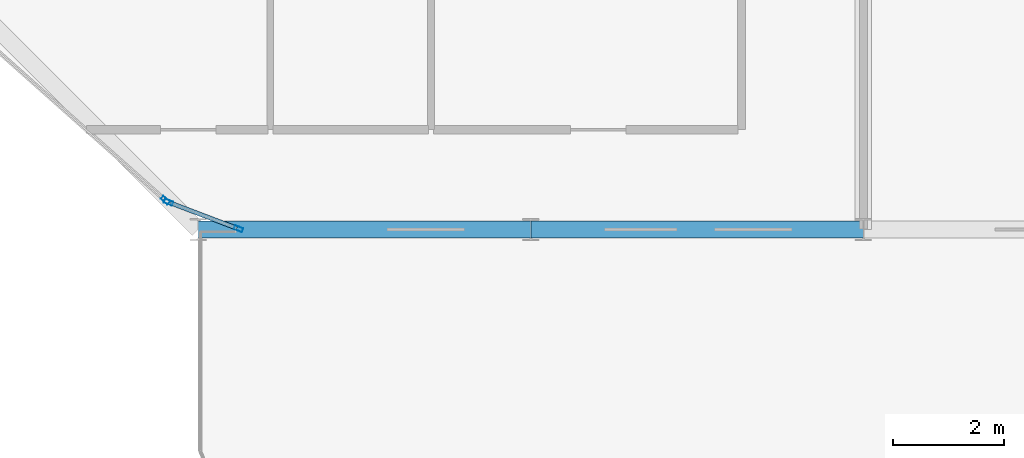
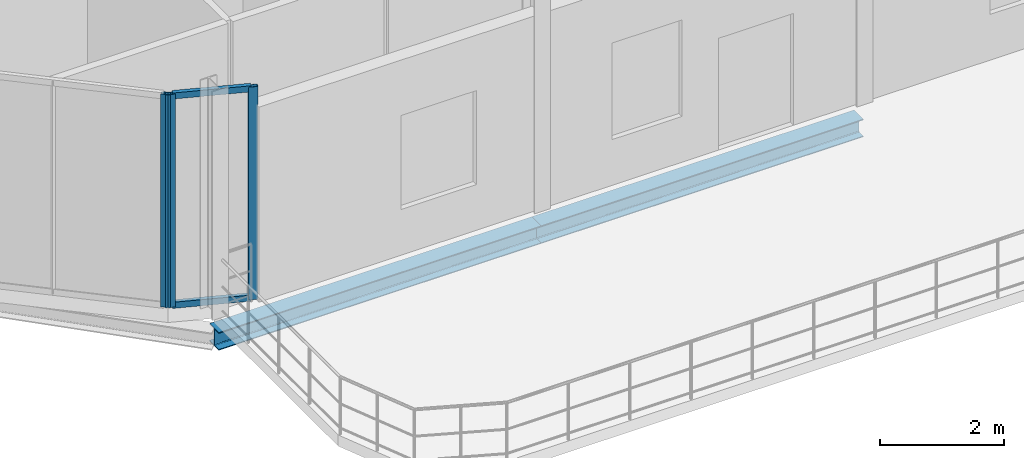
# One storey, part 5 of 24: 5 members, 2 beams, 2 elements without a shape of their own.
"""IFC4 building model written with IfcOpenShell, lengths in metres."""

from ifc_helpers import new_model, si_unit, direction, frame, origin, origin_2d, place, context, subcontext, project, spatial, hollow_rectangle, i_section, extrude, material, layer, layer_set, material_profile, profile_set, type_object, element, aggregate, save


model = new_model("IFC4")

# Units and contexts
model_context = context("Model", 3, precision=1e-05, world=origin(), true_north=direction((0.0, 1.0)))
body_context = subcontext(model_context, "Body", "Model", "MODEL_VIEW")
ifc_project = project(units=[si_unit("LENGTHUNIT", "METRE"), si_unit("AREAUNIT", "SQUARE_METRE"), si_unit("VOLUMEUNIT", "CUBIC_METRE"), si_unit("PLANEANGLEUNIT", "RADIAN"), si_unit("MASSUNIT", "GRAM", prefix="KILO")], contexts=[model_context])

# Site, building, storey
site_placement = place(None, origin())
site = spatial("IfcSite", under=ifc_project, at=site_placement, CompositionType="ELEMENT")
building_placement = place(site_placement, origin())
building = spatial("IfcBuilding", under=site, at=building_placement, Name="Keshet Zoharim Tower", CompositionType="ELEMENT")
storey_placement = place(building_placement, frame((0.0, 0.0, 242.800048828125)))
storey = spatial("IfcBuildingStorey", under=building, at=storey_placement, Name="L60", CompositionType="ELEMENT", Elevation=242.800048828125)

# Beams
ifc_material_1 = material(Name="Steel S355", Category="steel")
ifc_material_profile_1 = material_profile(ifc_material_1, i_section(OverallWidth=0.300048828125, OverallDepth=0.35009765625, WebThickness=0.010009765625, FlangeThickness=0.017578125, FilletRadius=0.027099609375, at=origin_2d()), Name="HEA360")
ifc_profile_set_1 = profile_set([ifc_material_profile_1], Name="Steel S355")
beam_type = type_object("IfcBeamType", Name="BM-PRI-HA360", PredefinedType="BEAM", material=ifc_profile_set_1)
for number, where, z_axis, x_axis, name in (
    (1, (21.0, 6.699951171875, -0.4951171875), (1.0, 0.0, 0.0), (0.0, 1.0, 0.0), "L60 Primary Girder X-001"),
    (2, (27.0, 6.699951171875, -0.4951171875), (1.0, 0.0, 0.0), (0.0, 1.0, 0.0), "L60 Primary Girder X-002"),
):
    element("IfcBeam", number, at=place(storey_placement, frame(where, z_axis=z_axis, x_axis=x_axis)), inside=storey, type_object=beam_type, Name=name, PredefinedType="BEAM", context=body_context, shape_type="SweptSolid", body=[
        extrude(i_section(OverallWidth=0.300048828125, OverallDepth=0.35009765625, WebThickness=0.010009765625, FlangeThickness=0.017578125, FilletRadius=0.027099609375, at=origin_2d()), origin(), (0.0, 0.0, 1.0), 6.0),
    ])

# Curtain wall, members
ifc_material_2 = material(Name="Aluminium 6063-T6", Category="aluminium")
ifc_layer = layer(ifc_material_2, 0.260009765625)
ifc_layer_set = layer_set([ifc_layer], Name="Aluminium 6063-T6")
curtain_wall_type = type_object("IfcCurtainWallType", Name="CW-SYS-06", PredefinedType="NOTDEFINED", material=ifc_layer_set)
curtain_wall_1_placement = place(storey_placement, origin())
curtain_wall_1 = element("IfcCurtainWall", 3, at=curtain_wall_1_placement, inside=storey, type_object=curtain_wall_type, Name="L60 Unitised Curtain Wall 14", PredefinedType="NOTDEFINED")
ifc_material_profile_2 = material_profile(ifc_material_2, hollow_rectangle(XDim=0.074951171875, YDim=0.159912109375, WallThickness=0.00390625, at=origin_2d()), Name="MUL-75x160")
ifc_profile_set_2 = profile_set([ifc_material_profile_2], Name="Aluminium 6063-T6")
member_type_1 = type_object("IfcMemberType", Name="CWM-M15", PredefinedType="MULLION", material=ifc_profile_set_2)
member_1_placement = place(storey_placement, frame((21.727294921875, 6.71240234375, 0.0), z_axis=(0.0, 0.0, 1.0), x_axis=(-0.355439161326, -0.934699418314, 0.0)))
member_1 = element("IfcMember", 4, at=member_1_placement, type_object=member_type_1, Name="CW-06 mullion 1", PredefinedType="MULLION", context=body_context, shape_type="SweptSolid", body=[
    extrude(hollow_rectangle(XDim=0.074951171875, YDim=0.159912109375, WallThickness=0.00390625, at=origin_2d()), origin(), (0.0, 0.0, 1.0), 4.18994140625),
])
member_2_placement = place(storey_placement, frame((20.464599609375, 7.192626953125, 0.0), z_axis=(0.0, 0.0, 1.0), x_axis=(-0.355439161326, -0.934699418314, 0.0)))
member_2 = element("IfcMember", 5, at=member_2_placement, type_object=member_type_1, Name="CW-06 mullion 2", PredefinedType="MULLION", context=body_context, shape_type="SweptSolid", body=[
    extrude(hollow_rectangle(XDim=0.074951171875, YDim=0.159912109375, WallThickness=0.00390625, at=origin_2d()), origin(), (0.0, 0.0, 1.0), 4.18994140625),
])

# Curtain wall, member
curtain_wall_2_placement = place(storey_placement, origin())
curtain_wall_2 = element("IfcCurtainWall", 6, at=curtain_wall_2_placement, inside=storey, type_object=curtain_wall_type, Name="L60 Unitised Curtain Wall 15", PredefinedType="NOTDEFINED")
member_3_placement = place(storey_placement, frame((20.40576171875, 7.228271484375, 0.0), z_axis=(0.0, 0.0, 1.0), x_axis=(-0.664361350167, -0.747411530821, 0.0)))
member_3 = element("IfcMember", 7, at=member_3_placement, type_object=member_type_1, Name="CW-06 mullion 1", PredefinedType="MULLION", context=body_context, shape_type="SweptSolid", body=[
    extrude(hollow_rectangle(XDim=0.074951171875, YDim=0.159912109375, WallThickness=0.00390625, at=origin_2d()), origin(), (0.0, 0.0, 1.0), 4.18994140625),
])
aggregate(curtain_wall_2, [member_3])

# Member
ifc_material_profile_3 = material_profile(ifc_material_2, hollow_rectangle(XDim=0.074951171875, YDim=0.1201171875, WallThickness=0.00390625, at=origin_2d()), Name="TRN-75x120")
ifc_profile_set_3 = profile_set([ifc_material_profile_3], Name="Aluminium 6063-T6")
member_type_2 = type_object("IfcMemberType", Name="CWT-T12", PredefinedType="USERDEFINED", material=ifc_profile_set_3)
member_4_placement = place(storey_placement, frame((21.694580078125, 6.724853515625, 0.034912109375), z_axis=(-0.934689881536, 0.355464239206, 0.0), x_axis=(-0.355464239206, -0.934689881536, 0.0)))
member_4 = element("IfcMember", 8, at=member_4_placement, type_object=member_type_2, Name="CW-06 transom 1.1", ObjectType="TRANSOM", PredefinedType="USERDEFINED", context=body_context, shape_type="SweptSolid", body=[
    extrude(hollow_rectangle(XDim=0.074951171875, YDim=0.1201171875, WallThickness=0.00390625, at=origin_2d()), origin(), (0.0, 0.0, 1.0), 1.281005859375),
])

member_5_placement = place(storey_placement, frame((21.694580078125, 6.724853515625, 4.155029296875), z_axis=(-0.934689881536, 0.355464239206, 0.0), x_axis=(-0.355464239206, -0.934689881536, 0.0)))
member_5 = element("IfcMember", 9, at=member_5_placement, type_object=member_type_2, Name="CW-06 transom 1.2", ObjectType="TRANSOM", PredefinedType="USERDEFINED", context=body_context, shape_type="SweptSolid", body=[
    extrude(hollow_rectangle(XDim=0.074951171875, YDim=0.1201171875, WallThickness=0.00390625, at=origin_2d()), origin(), (0.0, 0.0, 1.0), 1.281005859375),
])

aggregate(curtain_wall_1, [member_1, member_2, member_4, member_5])

save(model, "model.ifc")
